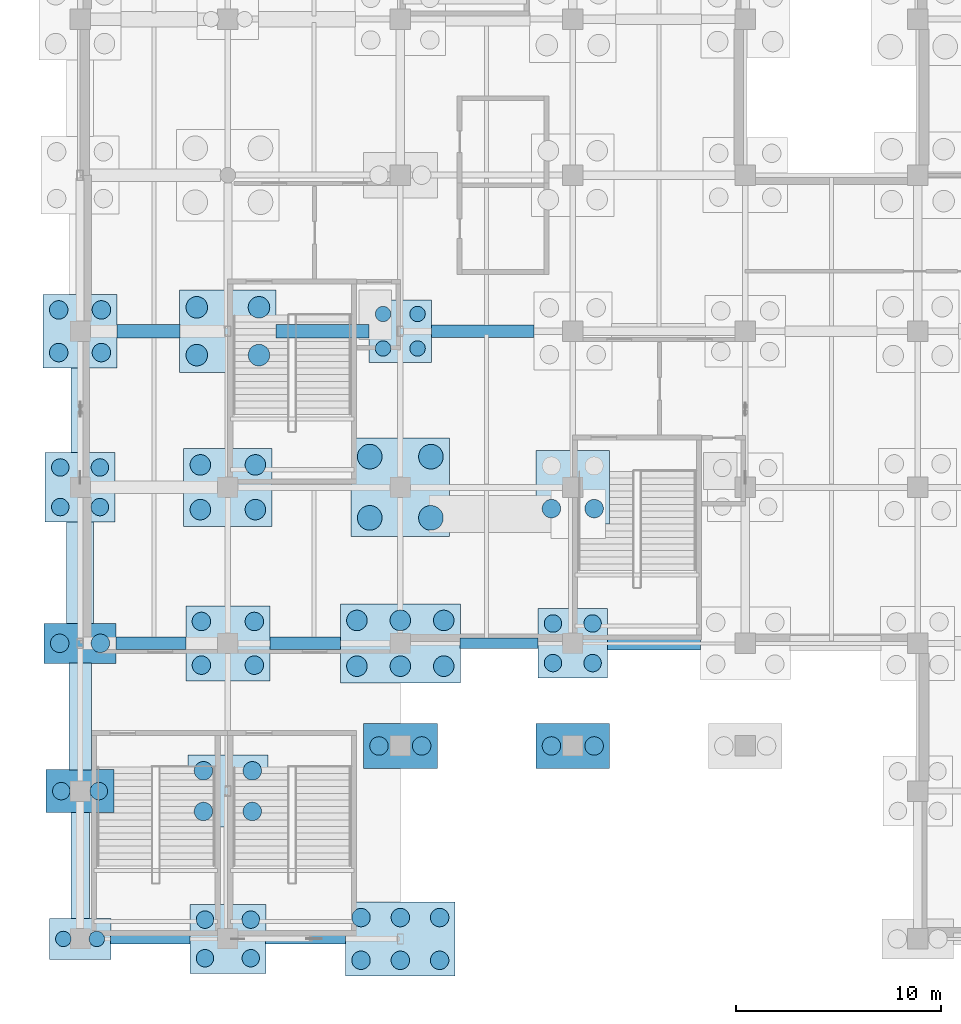
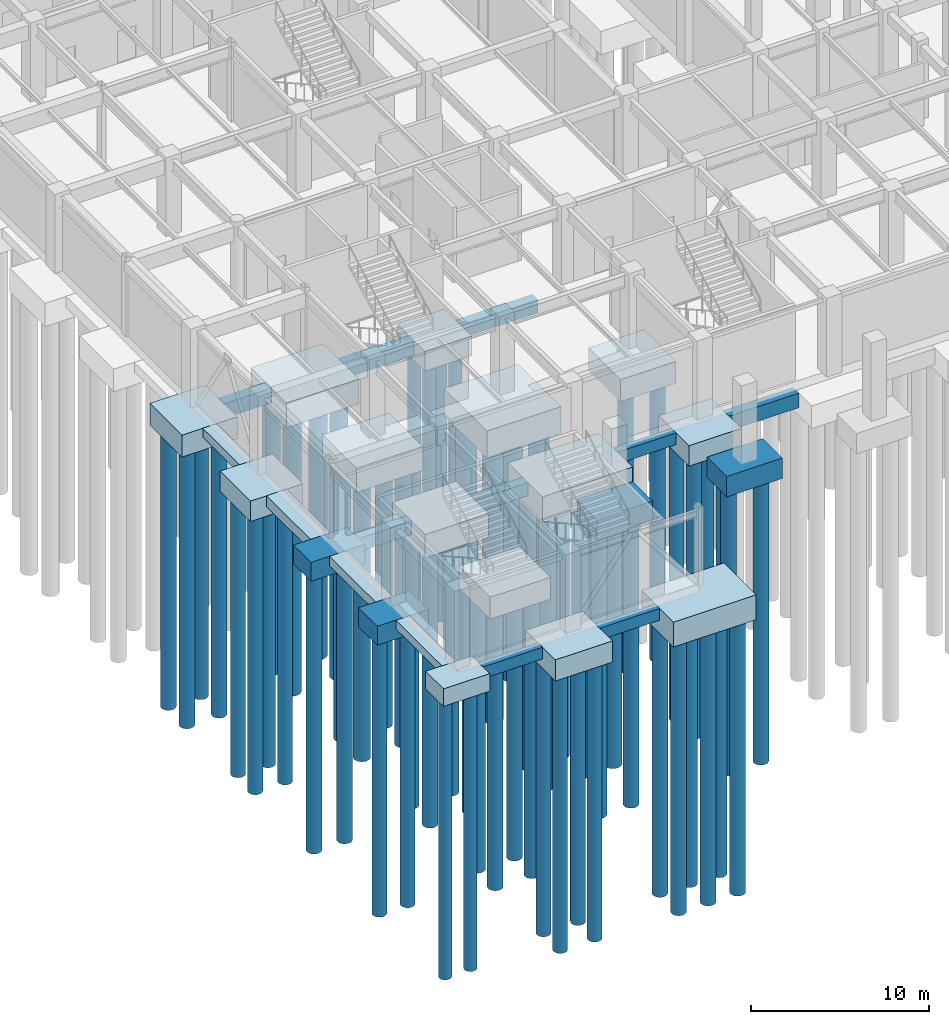
# One storey, part 1 of 52: 64 piles, 31 footings.
"""IFC4 building model written with IfcOpenShell, lengths in metres."""

from ifc_helpers import new_model, si_unit, direction, frame, origin, origin_2d, place, context, subcontext, project, spatial, rectangle, circle, extrude, material, material_profile, profile_set, type_object, element, save


model = new_model("IFC4")

# Units and contexts
model_context = context("Model", 3, precision=1e-05, world=origin(), true_north=direction((0.0, 1.0)))
body_context = subcontext(model_context, "Body", "Model", "MODEL_VIEW")
ifc_project = project(units=[si_unit("LENGTHUNIT", "METRE"), si_unit("AREAUNIT", "SQUARE_METRE"), si_unit("VOLUMEUNIT", "CUBIC_METRE"), si_unit("PLANEANGLEUNIT", "RADIAN"), si_unit("MASSUNIT", "GRAM", prefix="KILO")], contexts=[model_context])

# Site, building, storey
site_placement = place(None, origin())
site = spatial("IfcSite", under=ifc_project, at=site_placement, CompositionType="ELEMENT")
building_placement = place(site_placement, origin())
building = spatial("IfcBuilding", under=site, at=building_placement, Name="Xicomal Pleat Aquarium", CompositionType="ELEMENT")
storey_placement = place(building_placement, frame((0.0, 0.0, -5.39990234375)))
storey = spatial("IfcBuildingStorey", under=building, at=storey_placement, Name="B1", CompositionType="ELEMENT", Elevation=-5.39990234375)

# Footings
ifc_material_1 = material(Name="Concrete C40/50", Category="concrete")
ifc_material_profile_1 = material_profile(ifc_material_1, rectangle(XDim=0.5, YDim=0.800048828125, at=origin_2d()), Name="FB-01 500x800")
ifc_profile_set_1 = profile_set([ifc_material_profile_1], Name="Concrete C40/50")
footing_type_1 = type_object("IfcFootingType", Name="FTG-FB-500x800", PredefinedType="FOOTING_BEAM", material=ifc_profile_set_1)
footing_1_placement = place(storey_placement, frame((4.489990234375, 0.800048828125, -1.0), z_axis=(1.0, 0.0, 0.0), x_axis=(0.0, 1.0, 0.0)))
element("IfcFooting", 1, at=footing_1_placement, inside=storey, type_object=footing_type_1, Name="Foundation tie beam 01-02/A", PredefinedType="FOOTING_BEAM", context=body_context, shape_type="SweptSolid", body=[
    extrude(rectangle(XDim=0.5, YDim=0.800048828125, at=origin_2d()), origin(), (0.0, 0.0, 1.0), 3.8701171875),
])
footing_2_placement = place(storey_placement, frame((12.0400390625, 0.800048828125, -1.0), z_axis=(1.0, 0.0, 0.0), x_axis=(0.0, 1.0, 0.0)))
element("IfcFooting", 2, at=footing_2_placement, inside=storey, type_object=footing_type_1, Name="Foundation tie beam 02-03/A", PredefinedType="FOOTING_BEAM", context=body_context, shape_type="SweptSolid", body=[
    extrude(rectangle(XDim=0.5, YDim=0.800048828125, at=origin_2d()), origin(), (0.0, 0.0, 1.0), 3.89501953125),
])
footing_3_placement = place(storey_placement, frame((21.514892578125, 15.199951171875, -1.0), z_axis=(1.0, 0.0, 0.0), x_axis=(0.0, 1.0, 0.0)))
element("IfcFooting", 3, at=footing_3_placement, inside=storey, type_object=footing_type_1, Name="Foundation tie beam 03-04/C", PredefinedType="FOOTING_BEAM", context=body_context, shape_type="SweptSolid", body=[
    extrude(rectangle(XDim=0.5, YDim=0.800048828125, at=origin_2d()), origin(), (0.0, 0.0, 1.0), 3.795166015625),
])
ifc_material_2 = material(Name="Concrete C40/50", Category="concrete")
ifc_material_profile_2 = material_profile(ifc_material_2, rectangle(XDim=0.60009765625, YDim=0.89990234375, at=origin_2d()), Name="FB-02 600x900")
ifc_profile_set_2 = profile_set([ifc_material_profile_2], Name="Concrete C40/50")
footing_type_2 = type_object("IfcFootingType", Name="FTG-FB-600x900", PredefinedType="FOOTING_BEAM", material=ifc_profile_set_2)
footing_4_placement = place(storey_placement, frame((4.739990234375, 15.199951171875, -1.050048828125), z_axis=(1.0, 0.0, 0.0), x_axis=(0.0, 1.0, 0.0)))
element("IfcFooting", 4, at=footing_4_placement, inside=storey, type_object=footing_type_2, Name="Foundation tie beam 01-02/C", PredefinedType="FOOTING_BEAM", context=body_context, shape_type="SweptSolid", body=[
    extrude(rectangle(XDim=0.60009765625, YDim=0.89990234375, at=origin_2d()), origin(), (0.0, 0.0, 1.0), 3.419921875),
])
footing_5_placement = place(storey_placement, frame((12.239990234375, 15.199951171875, -1.050048828125), z_axis=(1.0, 0.0, 0.0), x_axis=(0.0, 1.0, 0.0)))
element("IfcFooting", 5, at=footing_5_placement, inside=storey, type_object=footing_type_2, Name="Foundation tie beam 02-03/C", PredefinedType="FOOTING_BEAM", context=body_context, shape_type="SweptSolid", body=[
    extrude(rectangle(XDim=0.60009765625, YDim=0.89990234375, at=origin_2d()), origin(), (0.0, 0.0, 1.0), 3.445068359375),
])
footing_6_placement = place(storey_placement, frame((20.114990234375, 30.39990234375, -1.050048828125), z_axis=(1.0, 0.0, 0.0), x_axis=(0.0, 1.0, 0.0)))
element("IfcFooting", 6, at=footing_6_placement, inside=storey, type_object=footing_type_2, Name="Foundation tie beam 03-04/E", PredefinedType="FOOTING_BEAM", context=body_context, shape_type="SweptSolid", body=[
    extrude(rectangle(XDim=0.60009765625, YDim=0.89990234375, at=origin_2d()), origin(), (0.0, 0.0, 1.0), 4.9951171875),
])
ifc_material_3 = material(Name="Concrete C40/50", Category="concrete")
ifc_material_profile_3 = material_profile(ifc_material_3, rectangle(XDim=0.64990234375, YDim=1.0, at=origin_2d()), Name="FB-03 650x1000")
ifc_profile_set_3 = profile_set([ifc_material_profile_3], Name="Concrete C40/50")
footing_type_3 = type_object("IfcFootingType", Name="FTG-FB-650x1000", PredefinedType="FOOTING_BEAM", material=ifc_profile_set_3)
footing_7_placement = place(storey_placement, frame((4.7900390625, 30.39990234375, -1.10009765625), z_axis=(1.0, 0.0, 0.0), x_axis=(0.0, 1.0, 0.0)))
element("IfcFooting", 7, at=footing_7_placement, inside=storey, type_object=footing_type_3, Name="Foundation tie beam 01-02/E", PredefinedType="FOOTING_BEAM", context=body_context, shape_type="SweptSolid", body=[
    extrude(rectangle(XDim=0.64990234375, YDim=1.0, at=origin_2d()), origin(), (0.0, 0.0, 1.0), 3.070068359375),
])
footing_8_placement = place(storey_placement, frame((12.5400390625, 30.39990234375, -1.10009765625), z_axis=(1.0, 0.0, 0.0), x_axis=(0.0, 1.0, 0.0)))
element("IfcFooting", 8, at=footing_8_placement, inside=storey, type_object=footing_type_3, Name="Foundation tie beam 02-03/E", PredefinedType="FOOTING_BEAM", context=body_context, shape_type="SweptSolid", body=[
    extrude(rectangle(XDim=0.64990234375, YDim=1.0, at=origin_2d()), origin(), (0.0, 0.0, 1.0), 4.544921875),
])
footing_9_placement = place(storey_placement, frame((28.68994140625, 15.199951171875, -1.10009765625), z_axis=(1.0, 0.0, 0.0), x_axis=(0.0, 1.0, 0.0)))
element("IfcFooting", 9, at=footing_9_placement, inside=storey, type_object=footing_type_3, Name="Foundation tie beam 04-05/C", PredefinedType="FOOTING_BEAM", context=body_context, shape_type="SweptSolid", body=[
    extrude(rectangle(XDim=0.64990234375, YDim=1.0, at=origin_2d()), origin(), (0.0, 0.0, 1.0), 4.52001953125),
])
ifc_material_4 = material(Name="Concrete C40/50", Category="concrete")
footing_type_4 = type_object("IfcFootingType", Name="FTG-PC-3000x2000x1200", PredefinedType="PILE_CAP", material=ifc_material_4)
footing_10_placement = place(storey_placement, frame((3.0, 0.800048828125, -1.80029296875), z_axis=(0.0, 0.0, 1.0), x_axis=(1.0, 0.0, 0.0)))
element("IfcFooting", 10, at=footing_10_placement, inside=storey, type_object=footing_type_4, Name="Pile cap 01-A", PredefinedType="PILE_CAP", context=body_context, shape_type="SweptSolid", body=[
    extrude(rectangle(XDim=3.0, YDim=2.0, at=origin_2d()), origin(), (0.0, 0.0, 1.0), 1.199951171875),
])
ifc_material_5 = material(Name="Concrete C40/50", Category="concrete")
footing_type_5 = type_object("IfcFootingType", Name="FTG-PC-3050x3050x1350", PredefinedType="PILE_CAP", material=ifc_material_5)
footing_11_placement = place(storey_placement, frame((18.60009765625, 30.39990234375, -1.9501953125), z_axis=(0.0, 0.0, 1.0), x_axis=(1.0, 0.0, 0.0)))
element("IfcFooting", 11, at=footing_11_placement, inside=storey, type_object=footing_type_5, Name="Pile cap 03-E", PredefinedType="PILE_CAP", context=body_context, shape_type="SweptSolid", body=[
    extrude(rectangle(XDim=3.050048828125, YDim=3.050048828125, at=origin_2d()), origin(), (0.0, 0.0, 1.0), 1.35009765625),
])
ifc_material_6 = material(Name="Concrete C40/50", Category="concrete")
footing_type_6 = type_object("IfcFootingType", Name="FTG-PC-3300x2100x1300", PredefinedType="PILE_CAP", material=ifc_material_6)
footing_12_placement = place(storey_placement, frame((3.0, 8.0, -1.89990234375), z_axis=(0.0, 0.0, 1.0), x_axis=(1.0, 0.0, 0.0)))
element("IfcFooting", 12, at=footing_12_placement, inside=storey, type_object=footing_type_6, Name="Pile cap 01-B", PredefinedType="PILE_CAP", context=body_context, shape_type="SweptSolid", body=[
    extrude(rectangle(XDim=3.300048828125, YDim=2.10009765625, at=origin_2d()), origin(), (0.0, 0.0, 1.0), 1.300048828125),
])
ifc_material_7 = material(Name="Concrete C40/50", Category="concrete")
footing_type_7 = type_object("IfcFootingType", Name="FTG-PC-3400x3400x1400", PredefinedType="PILE_CAP", material=ifc_material_7)
for number, where, z_axis, x_axis, name in (
    (13, (3.0, 22.800048828125, -2.0), (0.0, 0.0, 1.0), (1.0, 0.0, 0.0), "Pile cap 01-D"),
    (14, (27.0, 15.199951171875, -2.0), (0.0, 0.0, 1.0), (1.0, 0.0, 0.0), "Pile cap 04-C"),
):
    element("IfcFooting", number, at=place(storey_placement, frame(where, z_axis=z_axis, x_axis=x_axis)), inside=storey, type_object=footing_type_7, Name=name, PredefinedType="PILE_CAP", context=body_context, shape_type="SweptSolid", body=[
        extrude(rectangle(XDim=3.39990234375, YDim=3.39990234375, at=origin_2d()), origin(), (0.0, 0.0, 1.0), 1.39990234375),
    ])
ifc_material_8 = material(Name="Concrete C40/50", Category="concrete")
footing_type_8 = type_object("IfcFootingType", Name="FTG-PC-3500x1950x1300", PredefinedType="PILE_CAP", material=ifc_material_8)
footing_13_placement = place(storey_placement, frame((3.0, 15.199951171875, -1.89990234375), z_axis=(0.0, 0.0, 1.0), x_axis=(1.0, 0.0, 0.0)))
element("IfcFooting", 15, at=footing_13_placement, inside=storey, type_object=footing_type_8, Name="Pile cap 01-C", PredefinedType="PILE_CAP", context=body_context, shape_type="SweptSolid", body=[
    extrude(rectangle(XDim=3.5, YDim=1.949951171875, at=origin_2d()), origin(), (0.0, 0.0, 1.0), 1.300048828125),
])
ifc_material_9 = material(Name="Concrete C40/50", Category="concrete")
footing_type_9 = type_object("IfcFootingType", Name="FTG-PC-3600x2200x1400", PredefinedType="PILE_CAP", material=ifc_material_9)
for number, where, z_axis, x_axis, name in (
    (16, (18.60009765625, 10.199951171875, -1.400146484375), (0.0, 0.0, 1.0), (1.0, 0.0, 0.0), "Pile cap SP-03"),
    (17, (27.0, 10.199951171875, -1.400146484375), (0.0, 0.0, 1.0), (1.0, 0.0, 0.0), "Pile cap SP-04"),
):
    element("IfcFooting", number, at=place(storey_placement, frame(where, z_axis=z_axis, x_axis=x_axis)), inside=storey, type_object=footing_type_9, Name=name, PredefinedType="PILE_CAP", context=body_context, shape_type="SweptSolid", body=[
        extrude(rectangle(XDim=3.60009765625, YDim=2.199951171875, at=origin_2d()), origin(), (0.0, 0.0, 1.0), 1.39990234375),
    ])
ifc_material_10 = material(Name="Concrete C40/50", Category="concrete")
footing_type_10 = type_object("IfcFootingType", Name="FTG-PC-3600x3600x1500", PredefinedType="PILE_CAP", material=ifc_material_10)
for number, where, z_axis, x_axis, name in (
    (18, (3.0, 30.39990234375, -2.10009765625), (0.0, 0.0, 1.0), (1.0, 0.0, 0.0), "Pile cap 01-E"),
    (19, (27.0, 22.800048828125, -2.10009765625), (0.0, 0.0, 1.0), (1.0, 0.0, 0.0), "Pile cap 04-D"),
):
    element("IfcFooting", number, at=place(storey_placement, frame(where, z_axis=z_axis, x_axis=x_axis)), inside=storey, type_object=footing_type_10, Name=name, PredefinedType="PILE_CAP", context=body_context, shape_type="SweptSolid", body=[
        extrude(rectangle(XDim=3.60009765625, YDim=3.60009765625, at=origin_2d()), origin(), (0.0, 0.0, 1.0), 1.5),
    ])
ifc_material_11 = material(Name="Concrete C40/50", Category="concrete")
footing_type_11 = type_object("IfcFootingType", Name="FTG-PC-3700x3350x1450", PredefinedType="PILE_CAP", material=ifc_material_11)
footing_14_placement = place(storey_placement, frame((10.199951171875, 0.800048828125, -2.05029296875), z_axis=(0.0, 0.0, 1.0), x_axis=(1.0, 0.0, 0.0)))
element("IfcFooting", 20, at=footing_14_placement, inside=storey, type_object=footing_type_11, Name="Pile cap 02-A", PredefinedType="PILE_CAP", context=body_context, shape_type="SweptSolid", body=[
    extrude(rectangle(XDim=3.699951171875, YDim=3.35009765625, at=origin_2d()), origin(), (0.0, 0.0, 1.0), 1.449951171875),
])
ifc_material_12 = material(Name="Concrete C40/50", Category="concrete")
footing_type_12 = type_object("IfcFootingType", Name="FTG-PC-3900x3500x1500", PredefinedType="PILE_CAP", material=ifc_material_12)
footing_15_placement = place(storey_placement, frame((10.199951171875, 8.0, -2.10009765625), z_axis=(0.0, 0.0, 1.0), x_axis=(1.0, 0.0, 0.0)))
element("IfcFooting", 21, at=footing_15_placement, inside=storey, type_object=footing_type_12, Name="Pile cap 02-B", PredefinedType="PILE_CAP", context=body_context, shape_type="SweptSolid", body=[
    extrude(rectangle(XDim=3.89990234375, YDim=3.5, at=origin_2d()), origin(), (0.0, 0.0, 1.0), 1.5),
])
ifc_material_13 = material(Name="Concrete C40/50", Category="concrete")
footing_type_13 = type_object("IfcFootingType", Name="FTG-PC-4100x3650x1600", PredefinedType="PILE_CAP", material=ifc_material_13)
footing_16_placement = place(storey_placement, frame((10.199951171875, 15.199951171875, -2.2001953125), z_axis=(0.0, 0.0, 1.0), x_axis=(1.0, 0.0, 0.0)))
element("IfcFooting", 22, at=footing_16_placement, inside=storey, type_object=footing_type_13, Name="Pile cap 02-C", PredefinedType="PILE_CAP", context=body_context, shape_type="SweptSolid", body=[
    extrude(rectangle(XDim=4.10009765625, YDim=3.64990234375, at=origin_2d()), origin(), (0.0, 0.0, 1.0), 1.60009765625),
])
ifc_material_14 = material(Name="Concrete C40/50", Category="concrete")
footing_type_14 = type_object("IfcFootingType", Name="FTG-PC-4300x3800x1650", PredefinedType="PILE_CAP", material=ifc_material_14)
footing_17_placement = place(storey_placement, frame((10.199951171875, 22.800048828125, -2.25), z_axis=(0.0, 0.0, 1.0), x_axis=(1.0, 0.0, 0.0)))
element("IfcFooting", 23, at=footing_17_placement, inside=storey, type_object=footing_type_14, Name="Pile cap 02-D", PredefinedType="PILE_CAP", context=body_context, shape_type="SweptSolid", body=[
    extrude(rectangle(XDim=4.300048828125, YDim=3.800048828125, at=origin_2d()), origin(), (0.0, 0.0, 1.0), 1.64990234375),
])
ifc_material_15 = material(Name="Concrete C40/50", Category="concrete")
footing_type_15 = type_object("IfcFootingType", Name="FTG-PC-4700x4000x1700", PredefinedType="PILE_CAP", material=ifc_material_15)
footing_18_placement = place(storey_placement, frame((10.199951171875, 30.39990234375, -2.30029296875), z_axis=(0.0, 0.0, 1.0), x_axis=(1.0, 0.0, 0.0)))
element("IfcFooting", 24, at=footing_18_placement, inside=storey, type_object=footing_type_15, Name="Pile cap 02-E", PredefinedType="PILE_CAP", context=body_context, shape_type="SweptSolid", body=[
    extrude(rectangle(XDim=4.699951171875, YDim=4.0, at=origin_2d()), origin(), (0.0, 0.0, 1.0), 1.699951171875),
])
ifc_material_16 = material(Name="Concrete C40/50", Category="concrete")
footing_type_16 = type_object("IfcFootingType", Name="FTG-PC-4800x4800x1850", PredefinedType="PILE_CAP", material=ifc_material_16)
footing_19_placement = place(storey_placement, frame((18.60009765625, 22.800048828125, -2.4501953125), z_axis=(0.0, 0.0, 1.0), x_axis=(1.0, 0.0, 0.0)))
element("IfcFooting", 25, at=footing_19_placement, inside=storey, type_object=footing_type_16, Name="Pile cap 03-D", PredefinedType="PILE_CAP", context=body_context, shape_type="SweptSolid", body=[
    extrude(rectangle(XDim=4.800048828125, YDim=4.800048828125, at=origin_2d()), origin(), (0.0, 0.0, 1.0), 1.85009765625),
])
ifc_material_17 = material(Name="Concrete C40/50", Category="concrete")
footing_type_17 = type_object("IfcFootingType", Name="FTG-PC-5350x3600x1700", PredefinedType="PILE_CAP", material=ifc_material_17)
footing_20_placement = place(storey_placement, frame((18.60009765625, 0.800048828125, -2.30029296875), z_axis=(0.0, 0.0, 1.0), x_axis=(1.0, 0.0, 0.0)))
element("IfcFooting", 26, at=footing_20_placement, inside=storey, type_object=footing_type_17, Name="Pile cap 03-A", PredefinedType="PILE_CAP", context=body_context, shape_type="SweptSolid", body=[
    extrude(rectangle(XDim=5.35009765625, YDim=3.60009765625, at=origin_2d()), origin(), (0.0, 0.0, 1.0), 1.699951171875),
])
ifc_material_18 = material(Name="Concrete C40/50", Category="concrete")
footing_type_18 = type_object("IfcFootingType", Name="FTG-PC-5850x3850x1750", PredefinedType="PILE_CAP", material=ifc_material_18)
footing_21_placement = place(storey_placement, frame((18.60009765625, 15.199951171875, -2.35009765625), z_axis=(0.0, 0.0, 1.0), x_axis=(1.0, 0.0, 0.0)))
element("IfcFooting", 27, at=footing_21_placement, inside=storey, type_object=footing_type_18, Name="Pile cap 03-C", PredefinedType="PILE_CAP", context=body_context, shape_type="SweptSolid", body=[
    extrude(rectangle(XDim=5.85009765625, YDim=3.85009765625, at=origin_2d()), origin(), (0.0, 0.0, 1.0), 1.75),
])
ifc_material_19 = material(Name="Concrete C40/50", Category="concrete")
ifc_material_profile_4 = material_profile(ifc_material_19, rectangle(XDim=1.10009765625, YDim=0.64990234375, at=origin_2d()), Name="SF-02 1100x650")
ifc_profile_set_4 = profile_set([ifc_material_profile_4], Name="Concrete C40/50")
footing_type_19 = type_object("IfcFootingType", Name="FTG-SF-1100x650", PredefinedType="STRIP_FOOTING", material=ifc_profile_set_4)
footing_22_placement = place(storey_placement, frame((3.0, 9.0400390625, -0.925048828125), z_axis=(0.0, 1.0, 0.0), x_axis=(-1.0, 0.0, 0.0)))
element("IfcFooting", 28, at=footing_22_placement, inside=storey, type_object=footing_type_19, Name="Perimeter retaining wall strip footing 01/B-C", PredefinedType="STRIP_FOOTING", context=body_context, shape_type="SweptSolid", body=[
    extrude(rectangle(XDim=1.10009765625, YDim=0.64990234375, at=origin_2d()), origin(), (0.0, 0.0, 1.0), 5.195068359375),
])
ifc_material_20 = material(Name="Concrete C40/50", Category="concrete")
ifc_material_profile_5 = material_profile(ifc_material_20, rectangle(XDim=1.300048828125, YDim=0.75, at=origin_2d()), Name="SF-03 1300x750")
ifc_profile_set_5 = profile_set([ifc_material_profile_5], Name="Concrete C40/50")
footing_type_20 = type_object("IfcFootingType", Name="FTG-SF-1300x750", PredefinedType="STRIP_FOOTING", material=ifc_profile_set_5)
footing_23_placement = place(storey_placement, frame((3.0, 16.1650390625, -0.97509765625), z_axis=(0.0, 1.0, 0.0), x_axis=(-1.0, 0.0, 0.0)))
element("IfcFooting", 29, at=footing_23_placement, inside=storey, type_object=footing_type_20, Name="Perimeter retaining wall strip footing 01/C-D", PredefinedType="STRIP_FOOTING", context=body_context, shape_type="SweptSolid", body=[
    extrude(rectangle(XDim=1.300048828125, YDim=0.75, at=origin_2d()), origin(), (0.0, 0.0, 1.0), 4.945068359375),
])
ifc_material_21 = material(Name="Concrete C40/50", Category="concrete")
ifc_material_profile_6 = material_profile(ifc_material_21, rectangle(XDim=0.89990234375, YDim=0.60009765625, at=origin_2d()), Name="SF-01 900x600")
ifc_profile_set_6 = profile_set([ifc_material_profile_6], Name="Concrete C40/50")
footing_type_21 = type_object("IfcFootingType", Name="FTG-SF-900x600", PredefinedType="STRIP_FOOTING", material=ifc_profile_set_6)
footing_24_placement = place(storey_placement, frame((3.0, 1.7900390625, -0.900146484375), z_axis=(0.0, 1.0, 0.0), x_axis=(-1.0, 0.0, 0.0)))
element("IfcFooting", 30, at=footing_24_placement, inside=storey, type_object=footing_type_21, Name="Perimeter retaining wall strip footing 01/A-B", PredefinedType="STRIP_FOOTING", context=body_context, shape_type="SweptSolid", body=[
    extrude(rectangle(XDim=0.89990234375, YDim=0.60009765625, at=origin_2d()), origin(), (0.0, 0.0, 1.0), 5.169921875),
])
footing_25_placement = place(storey_placement, frame((3.0, 24.489990234375, -0.900146484375), z_axis=(0.0, 1.0, 0.0), x_axis=(-1.0, 0.0, 0.0)))
element("IfcFooting", 31, at=footing_25_placement, inside=storey, type_object=footing_type_21, Name="Perimeter retaining wall strip footing 01/D-E", PredefinedType="STRIP_FOOTING", context=body_context, shape_type="SweptSolid", body=[
    extrude(rectangle(XDim=0.89990234375, YDim=0.60009765625, at=origin_2d()), origin(), (0.0, 0.0, 1.0), 4.1201171875),
])

# Piles
ifc_material_22 = material(Name="Concrete C40/50", Category="concrete")
ifc_material_profile_7 = material_profile(ifc_material_22, circle(Radius=0.5, at=origin_2d()), Name="BORED PILE D1000")
ifc_profile_set_7 = profile_set([ifc_material_profile_7], Name="Concrete C40/50")
pile_type_1 = type_object("IfcPileType", Name="PIL-B-1000", PredefinedType="BORED", material=ifc_profile_set_7)
for number, where, z_axis, x_axis, name in (
    (32, (8.860107421875, 21.7099609375, -2.150146484375), (0.0, 0.0, -1.0), (1.0, 0.0, 0.0), "Bored pile 02-D-1"),
    (33, (11.5400390625, 21.7099609375, -2.150146484375), (0.0, 0.0, -1.0), (1.0, 0.0, 0.0), "Bored pile 02-D-2"),
    (34, (8.860107421875, 23.889892578125, -2.150146484375), (0.0, 0.0, -1.0), (1.0, 0.0, 0.0), "Bored pile 02-D-3"),
    (35, (11.5400390625, 23.889892578125, -2.150146484375), (0.0, 0.0, -1.0), (1.0, 0.0, 0.0), "Bored pile 02-D-4"),
):
    element("IfcPile", number, at=place(storey_placement, frame(where, z_axis=z_axis, x_axis=x_axis)), inside=storey, type_object=pile_type_1, Name=name, PredefinedType="BORED", context=body_context, shape_type="SweptSolid", body=[
        extrude(circle(Radius=0.5, at=origin_2d()), origin(), (0.0, 0.0, 1.0), 18.949951171875),
    ])
for number, where, z_axis, x_axis, name in (
    (36, (16.485107421875, 14.0849609375, -2.25), (0.0, 0.0, -1.0), (1.0, 0.0, 0.0), "Bored pile 03-C-1"),
    (37, (18.60009765625, 14.0849609375, -2.25), (0.0, 0.0, -1.0), (1.0, 0.0, 0.0), "Bored pile 03-C-2"),
    (38, (20.715087890625, 14.0849609375, -2.25), (0.0, 0.0, -1.0), (1.0, 0.0, 0.0), "Bored pile 03-C-3"),
    (39, (16.485107421875, 16.31494140625, -2.25), (0.0, 0.0, -1.0), (1.0, 0.0, 0.0), "Bored pile 03-C-4"),
    (40, (18.60009765625, 16.31494140625, -2.25), (0.0, 0.0, -1.0), (1.0, 0.0, 0.0), "Bored pile 03-C-5"),
    (41, (20.715087890625, 16.31494140625, -2.25), (0.0, 0.0, -1.0), (1.0, 0.0, 0.0), "Bored pile 03-C-6"),
):
    element("IfcPile", number, at=place(storey_placement, frame(where, z_axis=z_axis, x_axis=x_axis)), inside=storey, type_object=pile_type_1, Name=name, PredefinedType="BORED", context=body_context, shape_type="SweptSolid", body=[
        extrude(circle(Radius=0.5, at=origin_2d()), origin(), (0.0, 0.0, 1.0), 18.85009765625),
    ])
ifc_material_23 = material(Name="Concrete C40/50", Category="concrete")
ifc_material_profile_8 = material_profile(ifc_material_23, circle(Radius=0.52490234375, at=origin_2d()), Name="BORED PILE D1050")
ifc_profile_set_8 = profile_set([ifc_material_profile_8], Name="Concrete C40/50")
pile_type_2 = type_object("IfcPileType", Name="PIL-B-1050", PredefinedType="BORED", material=ifc_profile_set_8)
for number, where, z_axis, x_axis, name in (
    (42, (8.68505859375, 29.235107421875, -2.2001953125), (0.0, 0.0, -1.0), (1.0, 0.0, 0.0), "Bored pile 02-E-1"),
    (43, (11.715087890625, 29.235107421875, -2.2001953125), (0.0, 0.0, -1.0), (1.0, 0.0, 0.0), "Bored pile 02-E-2"),
    (44, (8.68505859375, 31.56494140625, -2.2001953125), (0.0, 0.0, -1.0), (1.0, 0.0, 0.0), "Bored pile 02-E-3"),
    (45, (11.715087890625, 31.56494140625, -2.2001953125), (0.0, 0.0, -1.0), (1.0, 0.0, 0.0), "Bored pile 02-E-4"),
):
    element("IfcPile", number, at=place(storey_placement, frame(where, z_axis=z_axis, x_axis=x_axis)), inside=storey, type_object=pile_type_2, Name=name, PredefinedType="BORED", context=body_context, shape_type="SweptSolid", body=[
        extrude(circle(Radius=0.52490234375, at=origin_2d()), origin(), (0.0, 0.0, 1.0), 18.89990234375),
    ])
ifc_material_24 = material(Name="Concrete C40/50", Category="concrete")
ifc_material_profile_9 = material_profile(ifc_material_24, circle(Radius=0.60009765625, at=origin_2d()), Name="BORED PILE D1200")
ifc_profile_set_9 = profile_set([ifc_material_profile_9], Name="Concrete C40/50")
pile_type_3 = type_object("IfcPileType", Name="PIL-B-1200", PredefinedType="BORED", material=ifc_profile_set_9)
for number, where, z_axis, x_axis, name in (
    (46, (17.110107421875, 21.31005859375, -2.35009765625), (0.0, 0.0, -1.0), (1.0, 0.0, 0.0), "Bored pile 03-D-1"),
    (47, (20.090087890625, 21.31005859375, -2.35009765625), (0.0, 0.0, -1.0), (1.0, 0.0, 0.0), "Bored pile 03-D-2"),
    (48, (17.110107421875, 24.2900390625, -2.35009765625), (0.0, 0.0, -1.0), (1.0, 0.0, 0.0), "Bored pile 03-D-3"),
    (49, (20.090087890625, 24.2900390625, -2.35009765625), (0.0, 0.0, -1.0), (1.0, 0.0, 0.0), "Bored pile 03-D-4"),
):
    element("IfcPile", number, at=place(storey_placement, frame(where, z_axis=z_axis, x_axis=x_axis)), inside=storey, type_object=pile_type_3, Name=name, PredefinedType="BORED", context=body_context, shape_type="SweptSolid", body=[
        extrude(circle(Radius=0.60009765625, at=origin_2d()), origin(), (0.0, 0.0, 1.0), 18.75),
    ])
ifc_material_25 = material(Name="Concrete C40/50", Category="concrete")
ifc_material_profile_10 = material_profile(ifc_material_25, circle(Radius=0.375, at=origin_2d()), Name="BORED PILE D750")
ifc_profile_set_10 = profile_set([ifc_material_profile_10], Name="Concrete C40/50")
pile_type_4 = type_object("IfcPileType", Name="PIL-B-750", PredefinedType="BORED", material=ifc_profile_set_10)
for number, where, z_axis, x_axis, name in (
    (50, (2.18505859375, 0.800048828125, -1.7001953125), (0.0, 0.0, -1.0), (1.0, 0.0, 0.0), "Bored pile 01-A-1"),
    (51, (3.81494140625, 0.800048828125, -1.7001953125), (0.0, 0.0, -1.0), (1.0, 0.0, 0.0), "Bored pile 01-A-2"),
):
    element("IfcPile", number, at=place(storey_placement, frame(where, z_axis=z_axis, x_axis=x_axis)), inside=storey, type_object=pile_type_4, Name=name, PredefinedType="BORED", context=body_context, shape_type="SweptSolid", body=[
        extrude(circle(Radius=0.375, at=origin_2d()), origin(), (0.0, 0.0, 1.0), 19.39990234375),
    ])
for number, where, z_axis, x_axis, name in (
    (52, (17.760009765625, 29.56005859375, -1.85009765625), (0.0, 0.0, -1.0), (1.0, 0.0, 0.0), "Bored pile 03-E-1"),
    (53, (19.43994140625, 29.56005859375, -1.85009765625), (0.0, 0.0, -1.0), (1.0, 0.0, 0.0), "Bored pile 03-E-2"),
    (54, (17.760009765625, 31.239990234375, -1.85009765625), (0.0, 0.0, -1.0), (1.0, 0.0, 0.0), "Bored pile 03-E-3"),
    (55, (19.43994140625, 31.239990234375, -1.85009765625), (0.0, 0.0, -1.0), (1.0, 0.0, 0.0), "Bored pile 03-E-4"),
):
    element("IfcPile", number, at=place(storey_placement, frame(where, z_axis=z_axis, x_axis=x_axis)), inside=storey, type_object=pile_type_4, Name=name, PredefinedType="BORED", context=body_context, shape_type="SweptSolid", body=[
        extrude(circle(Radius=0.375, at=origin_2d()), origin(), (0.0, 0.0, 1.0), 19.25),
    ])
ifc_material_26 = material(Name="Concrete C40/50", Category="concrete")
ifc_material_profile_11 = material_profile(ifc_material_26, circle(Radius=0.425048828125, at=origin_2d()), Name="BORED PILE D850")
ifc_profile_set_11 = profile_set([ifc_material_profile_11], Name="Concrete C40/50")
pile_type_5 = type_object("IfcPileType", Name="PIL-B-850", PredefinedType="BORED", material=ifc_profile_set_11)
for number, where, z_axis, x_axis, name in (
    (56, (2.0849609375, 8.0, -1.800048828125), (0.0, 0.0, -1.0), (1.0, 0.0, 0.0), "Bored pile 01-B-1"),
    (57, (3.9150390625, 8.0, -1.800048828125), (0.0, 0.0, -1.0), (1.0, 0.0, 0.0), "Bored pile 01-B-2"),
):
    element("IfcPile", number, at=place(storey_placement, frame(where, z_axis=z_axis, x_axis=x_axis)), inside=storey, type_object=pile_type_5, Name=name, PredefinedType="BORED", context=body_context, shape_type="SweptSolid", body=[
        extrude(circle(Radius=0.425048828125, at=origin_2d()), origin(), (0.0, 0.0, 1.0), 19.300048828125),
    ])
for number, where, z_axis, x_axis, name in (
    (58, (2.034912109375, 21.8349609375, -1.900146484375), (0.0, 0.0, -1.0), (1.0, 0.0, 0.0), "Bored pile 01-D-1"),
    (59, (3.965087890625, 21.8349609375, -1.900146484375), (0.0, 0.0, -1.0), (1.0, 0.0, 0.0), "Bored pile 01-D-2"),
    (60, (2.034912109375, 23.764892578125, -1.900146484375), (0.0, 0.0, -1.0), (1.0, 0.0, 0.0), "Bored pile 01-D-3"),
    (61, (3.965087890625, 23.764892578125, -1.900146484375), (0.0, 0.0, -1.0), (1.0, 0.0, 0.0), "Bored pile 01-D-4"),
):
    element("IfcPile", number, at=place(storey_placement, frame(where, z_axis=z_axis, x_axis=x_axis)), inside=storey, type_object=pile_type_5, Name=name, PredefinedType="BORED", context=body_context, shape_type="SweptSolid", body=[
        extrude(circle(Radius=0.425048828125, at=origin_2d()), origin(), (0.0, 0.0, 1.0), 19.199951171875),
    ])
for number, where, z_axis, x_axis, name in (
    (62, (9.0849609375, -0.139892578125, -1.9501953125), (0.0, 0.0, -1.0), (1.0, 0.0, 0.0), "Bored pile 02-A-1"),
    (63, (11.31494140625, -0.139892578125, -1.9501953125), (0.0, 0.0, -1.0), (1.0, 0.0, 0.0), "Bored pile 02-A-2"),
    (64, (9.0849609375, 1.739990234375, -1.9501953125), (0.0, 0.0, -1.0), (1.0, 0.0, 0.0), "Bored pile 02-A-3"),
    (65, (11.31494140625, 1.739990234375, -1.9501953125), (0.0, 0.0, -1.0), (1.0, 0.0, 0.0), "Bored pile 02-A-4"),
):
    element("IfcPile", number, at=place(storey_placement, frame(where, z_axis=z_axis, x_axis=x_axis)), inside=storey, type_object=pile_type_5, Name=name, PredefinedType="BORED", context=body_context, shape_type="SweptSolid", body=[
        extrude(circle(Radius=0.425048828125, at=origin_2d()), origin(), (0.0, 0.0, 1.0), 19.14990234375),
    ])
for number, where, z_axis, x_axis, name in (
    (66, (26.034912109375, 14.235107421875, -1.900146484375), (0.0, 0.0, -1.0), (1.0, 0.0, 0.0), "Bored pile 04-C-1"),
    (67, (27.965087890625, 14.235107421875, -1.900146484375), (0.0, 0.0, -1.0), (1.0, 0.0, 0.0), "Bored pile 04-C-2"),
    (68, (26.034912109375, 16.1650390625, -1.900146484375), (0.0, 0.0, -1.0), (1.0, 0.0, 0.0), "Bored pile 04-C-3"),
    (69, (27.965087890625, 16.1650390625, -1.900146484375), (0.0, 0.0, -1.0), (1.0, 0.0, 0.0), "Bored pile 04-C-4"),
):
    element("IfcPile", number, at=place(storey_placement, frame(where, z_axis=z_axis, x_axis=x_axis)), inside=storey, type_object=pile_type_5, Name=name, PredefinedType="BORED", context=body_context, shape_type="SweptSolid", body=[
        extrude(circle(Radius=0.425048828125, at=origin_2d()), origin(), (0.0, 0.0, 1.0), 19.199951171875),
    ])
ifc_material_27 = material(Name="Concrete C40/50", Category="concrete")
ifc_material_profile_12 = material_profile(ifc_material_27, circle(Radius=0.449951171875, at=origin_2d()), Name="BORED PILE D900")
ifc_profile_set_12 = profile_set([ifc_material_profile_12], Name="Concrete C40/50")
pile_type_6 = type_object("IfcPileType", Name="PIL-B-900", PredefinedType="BORED", material=ifc_profile_set_12)
for number, where, z_axis, x_axis, name in (
    (70, (2.010009765625, 15.199951171875, -1.800048828125), (0.0, 0.0, -1.0), (1.0, 0.0, 0.0), "Bored pile 01-C-1"),
    (71, (3.989990234375, 15.199951171875, -1.800048828125), (0.0, 0.0, -1.0), (1.0, 0.0, 0.0), "Bored pile 01-C-2"),
):
    element("IfcPile", number, at=place(storey_placement, frame(where, z_axis=z_axis, x_axis=x_axis)), inside=storey, type_object=pile_type_6, Name=name, PredefinedType="BORED", context=body_context, shape_type="SweptSolid", body=[
        extrude(circle(Radius=0.449951171875, at=origin_2d()), origin(), (0.0, 0.0, 1.0), 19.300048828125),
    ])
for number, where, z_axis, x_axis, name in (
    (72, (1.9599609375, 29.360107421875, -2.0), (0.0, 0.0, -1.0), (1.0, 0.0, 0.0), "Bored pile 01-E-1"),
    (73, (4.0400390625, 29.360107421875, -2.0), (0.0, 0.0, -1.0), (1.0, 0.0, 0.0), "Bored pile 01-E-2"),
    (74, (1.9599609375, 31.43994140625, -2.0), (0.0, 0.0, -1.0), (1.0, 0.0, 0.0), "Bored pile 01-E-3"),
    (75, (4.0400390625, 31.43994140625, -2.0), (0.0, 0.0, -1.0), (1.0, 0.0, 0.0), "Bored pile 01-E-4"),
    (76, (9.010009765625, 7.010009765625, -2.0), (0.0, 0.0, -1.0), (1.0, 0.0, 0.0), "Bored pile 02-B-1"),
    (77, (11.389892578125, 7.010009765625, -2.0), (0.0, 0.0, -1.0), (1.0, 0.0, 0.0), "Bored pile 02-B-2"),
    (78, (9.010009765625, 8.989990234375, -2.0), (0.0, 0.0, -1.0), (1.0, 0.0, 0.0), "Bored pile 02-B-3"),
    (79, (11.389892578125, 8.989990234375, -2.0), (0.0, 0.0, -1.0), (1.0, 0.0, 0.0), "Bored pile 02-B-4"),
):
    element("IfcPile", number, at=place(storey_placement, frame(where, z_axis=z_axis, x_axis=x_axis)), inside=storey, type_object=pile_type_6, Name=name, PredefinedType="BORED", context=body_context, shape_type="SweptSolid", body=[
        extrude(circle(Radius=0.449951171875, at=origin_2d()), origin(), (0.0, 0.0, 1.0), 19.10009765625),
    ])
for number, where, z_axis, x_axis, name in (
    (80, (8.909912109375, 14.135009765625, -2.10009765625), (0.0, 0.0, -1.0), (1.0, 0.0, 0.0), "Bored pile 02-C-1"),
    (81, (11.489990234375, 14.135009765625, -2.10009765625), (0.0, 0.0, -1.0), (1.0, 0.0, 0.0), "Bored pile 02-C-2"),
    (82, (8.909912109375, 16.264892578125, -2.10009765625), (0.0, 0.0, -1.0), (1.0, 0.0, 0.0), "Bored pile 02-C-3"),
    (83, (11.489990234375, 16.264892578125, -2.10009765625), (0.0, 0.0, -1.0), (1.0, 0.0, 0.0), "Bored pile 02-C-4"),
):
    element("IfcPile", number, at=place(storey_placement, frame(where, z_axis=z_axis, x_axis=x_axis)), inside=storey, type_object=pile_type_6, Name=name, PredefinedType="BORED", context=body_context, shape_type="SweptSolid", body=[
        extrude(circle(Radius=0.449951171875, at=origin_2d()), origin(), (0.0, 0.0, 1.0), 19.0),
    ])
for number, where, z_axis, x_axis, name in (
    (84, (16.68505859375, -0.239990234375, -2.2001953125), (0.0, 0.0, -1.0), (1.0, 0.0, 0.0), "Bored pile 03-A-1"),
    (85, (18.60009765625, -0.239990234375, -2.2001953125), (0.0, 0.0, -1.0), (1.0, 0.0, 0.0), "Bored pile 03-A-2"),
    (86, (20.514892578125, -0.239990234375, -2.2001953125), (0.0, 0.0, -1.0), (1.0, 0.0, 0.0), "Bored pile 03-A-3"),
    (87, (16.68505859375, 1.840087890625, -2.2001953125), (0.0, 0.0, -1.0), (1.0, 0.0, 0.0), "Bored pile 03-A-4"),
    (88, (18.60009765625, 1.840087890625, -2.2001953125), (0.0, 0.0, -1.0), (1.0, 0.0, 0.0), "Bored pile 03-A-5"),
    (89, (20.514892578125, 1.840087890625, -2.2001953125), (0.0, 0.0, -1.0), (1.0, 0.0, 0.0), "Bored pile 03-A-6"),
):
    element("IfcPile", number, at=place(storey_placement, frame(where, z_axis=z_axis, x_axis=x_axis)), inside=storey, type_object=pile_type_6, Name=name, PredefinedType="BORED", context=body_context, shape_type="SweptSolid", body=[
        extrude(circle(Radius=0.449951171875, at=origin_2d()), origin(), (0.0, 0.0, 1.0), 18.89990234375),
    ])
for number, where, z_axis, x_axis, name in (
    (90, (25.9599609375, 21.760009765625, -2.0), (0.0, 0.0, -1.0), (1.0, 0.0, 0.0), "Bored pile 04-D-1"),
    (91, (28.0400390625, 21.760009765625, -2.0), (0.0, 0.0, -1.0), (1.0, 0.0, 0.0), "Bored pile 04-D-2"),
):
    element("IfcPile", number, at=place(storey_placement, frame(where, z_axis=z_axis, x_axis=x_axis)), inside=storey, type_object=pile_type_6, Name=name, PredefinedType="BORED", context=body_context, shape_type="SweptSolid", body=[
        extrude(circle(Radius=0.449951171875, at=origin_2d()), origin(), (0.0, 0.0, 1.0), 19.10009765625),
    ])
for number, where, z_axis, x_axis, name in (
    (92, (17.56005859375, 10.199951171875, -1.300048828125), (0.0, 0.0, -1.0), (1.0, 0.0, 0.0), "Bored pile SP-03-1"),
    (93, (19.639892578125, 10.199951171875, -1.300048828125), (0.0, 0.0, -1.0), (1.0, 0.0, 0.0), "Bored pile SP-03-2"),
    (94, (25.9599609375, 10.199951171875, -1.300048828125), (0.0, 0.0, -1.0), (1.0, 0.0, 0.0), "Bored pile SP-04-1"),
    (95, (28.0400390625, 10.199951171875, -1.300048828125), (0.0, 0.0, -1.0), (1.0, 0.0, 0.0), "Bored pile SP-04-2"),
):
    element("IfcPile", number, at=place(storey_placement, frame(where, z_axis=z_axis, x_axis=x_axis)), inside=storey, type_object=pile_type_6, Name=name, PredefinedType="BORED", context=body_context, shape_type="SweptSolid", body=[
        extrude(circle(Radius=0.449951171875, at=origin_2d()), origin(), (0.0, 0.0, 1.0), 19.800048828125),
    ])

save(model, "model.ifc")
